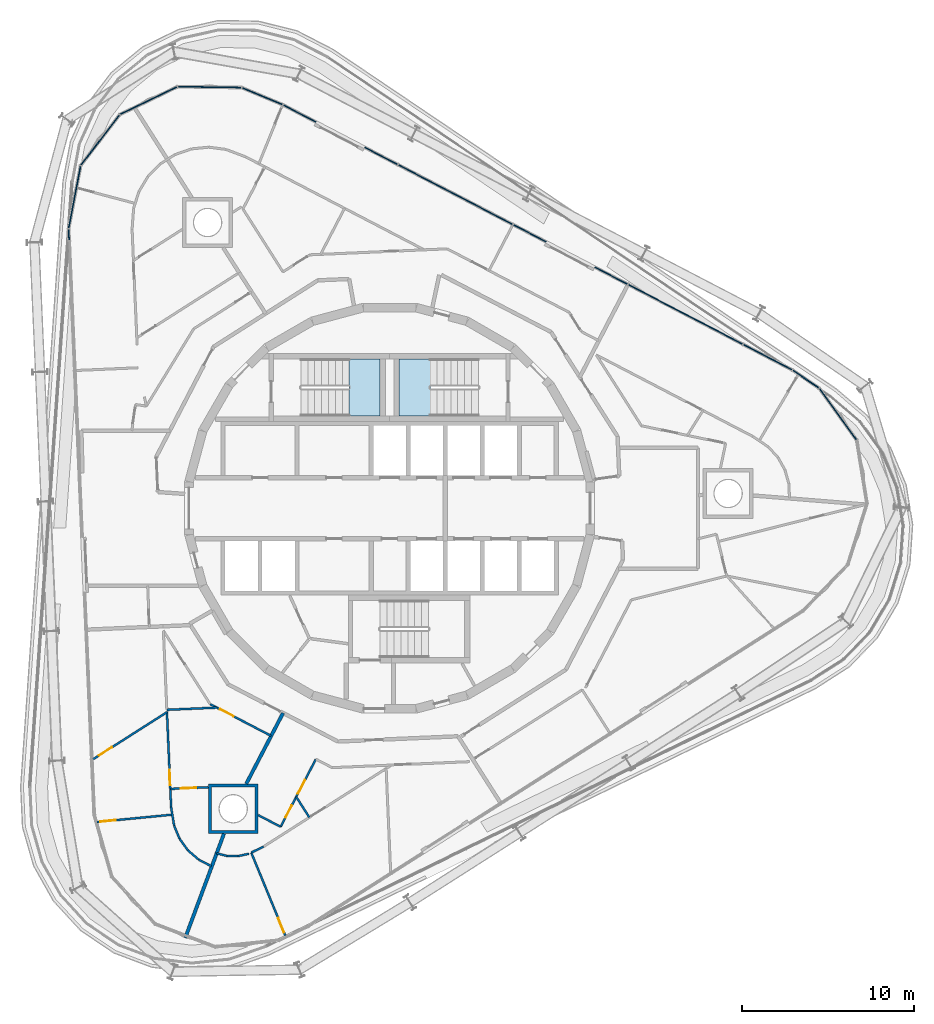
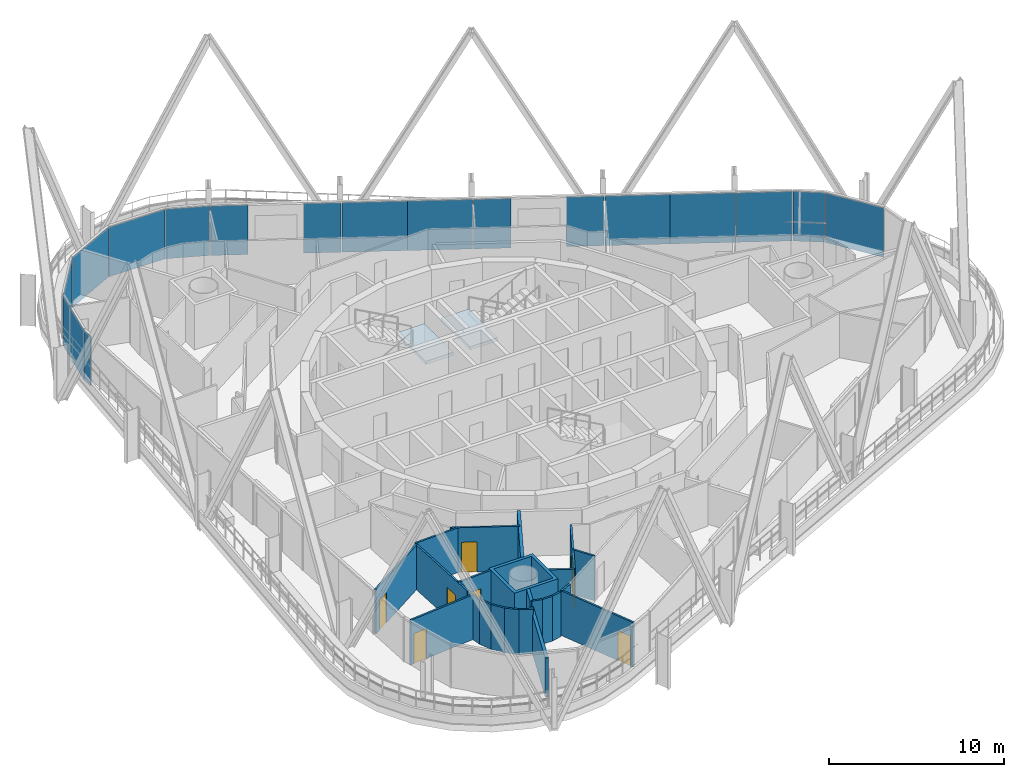
# One storey, part 11 of 20: 23 walls, 17 plates, 8 doors, 2 slabs, 8 openings, 5 elements without a shape of their own.
"""IFC4 building model written with IfcOpenShell, lengths in metres."""

from ifc_helpers import new_model, si_unit, direction, frame, frame_2d, origin, origin_2d, place, context, subcontext, project, spatial, polyline, rectangle, outline, extrude, material, layer, layer_set, type_object, element, fill, aggregate, save


model = new_model("IFC4")

# Units and contexts
model_context = context("Model", 3, precision=1e-05, world=origin(), true_north=direction((0.0, 1.0)))
body_context = subcontext(model_context, "Body", "Model", "MODEL_VIEW")
ifc_project = project(units=[si_unit("LENGTHUNIT", "METRE"), si_unit("AREAUNIT", "SQUARE_METRE"), si_unit("VOLUMEUNIT", "CUBIC_METRE"), si_unit("PLANEANGLEUNIT", "RADIAN"), si_unit("MASSUNIT", "GRAM", prefix="KILO")], contexts=[model_context])

# Site, building, storey
site_placement = place(None, origin())
site = spatial("IfcSite", under=ifc_project, at=site_placement, CompositionType="ELEMENT")
building_placement = place(site_placement, origin())
building = spatial("IfcBuilding", under=site, at=building_placement, Name="Spindle Arch Residences", CompositionType="ELEMENT")
storey_placement = place(building_placement, frame((0.0, 0.0, 226.699951171875)))
storey = spatial("IfcBuildingStorey", under=building, at=storey_placement, Name="L57", CompositionType="ELEMENT", Elevation=226.699951171875)

# Stair, slab
ifc_material_1 = material(Name="Concrete C50/60", Category="concrete")
stair_type = type_object("IfcStairType", Name="Exit stair 16 risers", PredefinedType="HALF_TURN_STAIR", material=ifc_material_1)
stair_1_placement = place(storey_placement, origin())
stair_1 = element("IfcStair", 1, at=stair_1_placement, inside=storey, type_object=stair_type, Name="L57 Exit stair ST1", PredefinedType="HALF_TURN_STAIR")
ifc_material_2 = material(Name="Concrete C50/60", Category="concrete")
ifc_layer_1 = layer(ifc_material_2, 0.219970703125)
ifc_layer_set_1 = layer_set([ifc_layer_1], Name="Exit stair landing 220")
slab_type = type_object("IfcSlabType", Name="Exit stair landing 220", PredefinedType="LANDING", material=ifc_layer_set_1)
slab_1_placement = place(storey_placement, frame((0.0, 0.0, 1.530029296875)))
slab_1 = element("IfcSlab", 2, at=slab_1_placement, type_object=slab_type, Name="ST1 landing 1", PredefinedType="LANDING", context=body_context, shape_type="SweptSolid", body=[
    extrude(outline(polyline([(2.3701171875, 8.669921875), (0.550048828125, 8.669921875), (0.550048828125, 5.35009765625), (2.3701171875, 5.35009765625), (2.3701171875, 8.669921875)])), origin(), (0.0, 0.0, 1.0), 0.219970703125),
])
aggregate(stair_1, [slab_1])

stair_2_placement = place(storey_placement, origin())
stair_2 = element("IfcStair", 3, at=stair_2_placement, inside=storey, type_object=stair_type, Name="L57 Exit stair ST2", PredefinedType="HALF_TURN_STAIR")
slab_2_placement = place(storey_placement, frame((0.0, 0.0, 1.530029296875)))
slab_2 = element("IfcSlab", 4, at=slab_2_placement, type_object=slab_type, Name="ST2 landing 1", PredefinedType="LANDING", context=body_context, shape_type="SweptSolid", body=[
    extrude(outline(polyline([(-2.3701171875, 5.35009765625), (-0.550048828125, 5.35009765625), (-0.550048828125, 8.669921875), (-2.3701171875, 8.669921875), (-2.3701171875, 5.35009765625)])), origin(), (0.0, 0.0, 1.0), 0.219970703125),
])
aggregate(stair_2, [slab_2])

# Curtain wall, plates
ifc_material_3 = material(Name="Aluminium bronze unitised frame with tinted glass", Category="aluminium")
ifc_layer_2 = layer(ifc_material_3, 0.159912109375)
ifc_layer_set_2 = layer_set([ifc_layer_2], Name="CW-D corner wall on the fillet arcs")
curtain_wall_type_1 = type_object("IfcCurtainWallType", Name="CW-D corner wall on the fillet arcs", PredefinedType="NOTDEFINED", material=ifc_layer_set_2)
curtain_wall_1_placement = place(storey_placement, origin())
curtain_wall_1 = element("IfcCurtainWall", 5, at=curtain_wall_1_placement, inside=storey, type_object=curtain_wall_type_1, Name="CW-D L57 run 1", PredefinedType="NOTDEFINED")
ifc_material_4 = material(Name="Tinted double glazing over aluminium faced non-combustible spandrel zone (K0)", Category="aluminium")
ifc_layer_3 = layer(ifc_material_4, 0.06005859375)
ifc_layer_set_3 = layer_set([ifc_layer_3], Name="Unitised glass panel with E 60 spandrel zone")
plate_type = type_object("IfcPlateType", Name="Unitised glass panel with E 60 spandrel zone", PredefinedType="CURTAIN_PANEL", material=ifc_layer_set_3)
plate_1_placement = place(storey_placement, frame((26.024169921875, 5.460693359375, -0.44970703125), z_axis=(0.0, 0.0, 1.0), x_axis=(-0.585429431289, 0.810723368962, 0.0)))
plate_1 = element("IfcPlate", 6, at=plate_1_placement, type_object=plate_type, Name="CW-D unit 04", PredefinedType="CURTAIN_PANEL", context=body_context, shape_type="SweptSolid", body=[
    extrude(rectangle(XDim=3.666748046875, YDim=0.06005859375, at=origin_2d()), origin(), (0.0, 0.0, 1.0), 3.449951171875),
])
plate_2_placement = place(storey_placement, frame((24.156982421875, 7.498291015625, -0.44970703125), z_axis=(0.0, 0.0, 1.0), x_axis=(-0.827407441981, 0.561602105546, 0.0)))
plate_2 = element("IfcPlate", 7, at=plate_2_placement, type_object=plate_type, Name="CW-D unit 05", PredefinedType="CURTAIN_PANEL", context=body_context, shape_type="SweptSolid", body=[
    extrude(rectangle(XDim=1.816162109375, YDim=0.06005859375, at=origin_2d()), origin(), (0.0, 0.0, 1.0), 3.449951171875),
])
plate_3_placement = place(storey_placement, frame((21.948974609375, 8.770263671875, -0.44970703125), z_axis=(0.0, 0.0, 1.0), x_axis=(-0.887010833178, 0.461748613235, 0.0)))
plate_3 = element("IfcPlate", 8, at=plate_3_placement, type_object=plate_type, Name="CW-D unit 06", PredefinedType="CURTAIN_PANEL", context=body_context, shape_type="SweptSolid", body=[
    extrude(rectangle(XDim=3.16845703125, YDim=0.06005859375, at=origin_2d()), origin(), (0.0, 0.0, 1.0), 3.449951171875),
])
aggregate(curtain_wall_1, [plate_1, plate_2, plate_3])

ifc_material_5 = material(Name="Aluminium bronze unitised frame with tinted glass", Category="aluminium")
ifc_layer_4 = layer(ifc_material_5, 0.159912109375)
ifc_layer_set_4 = layer_set([ifc_layer_4], Name="CW-C typical residential unitised wall")
curtain_wall_type_2 = type_object("IfcCurtainWallType", Name="CW-C typical residential unitised wall", PredefinedType="NOTDEFINED", material=ifc_layer_set_4)
curtain_wall_2_placement = place(storey_placement, origin())
curtain_wall_2 = element("IfcCurtainWall", 9, at=curtain_wall_2_placement, inside=storey, type_object=curtain_wall_type_2, Name="CW-C L57 run 2", PredefinedType="NOTDEFINED")
plate_4_placement = place(storey_placement, frame((18.834228515625, 10.391845703125, -0.44970703125), z_axis=(0.0, 0.0, 1.0), x_axis=(-0.887010833178, 0.461748613235, 0.0)))
plate_4 = element("IfcPlate", 10, at=plate_4_placement, type_object=plate_type, Name="CW-C unit 05A", PredefinedType="CURTAIN_PANEL", context=body_context, shape_type="SweptSolid", body=[
    extrude(rectangle(XDim=3.735107421875, YDim=0.06005859375, at=origin_2d()), origin(), (0.0, 0.0, 1.0), 3.449951171875),
])
plate_5_placement = place(storey_placement, frame((15.52099609375, 12.116455078125, -0.44970703125), z_axis=(0.0, 0.0, 1.0), x_axis=(-0.887010833178, 0.461748613235, 0.0)))
plate_5 = element("IfcPlate", 11, at=plate_5_placement, type_object=plate_type, Name="CW-C unit 05B", PredefinedType="CURTAIN_PANEL", context=body_context, shape_type="SweptSolid", body=[
    extrude(rectangle(XDim=3.735107421875, YDim=0.06005859375, at=origin_2d()), origin(), (0.0, 0.0, 1.0), 3.449951171875),
])
plate_6_placement = place(storey_placement, frame((12.864501953125, 13.49951171875, -0.44970703125), z_axis=(0.0, 0.0, 1.0), x_axis=(-0.887010833178, 0.461748613235, 0.0)))
plate_6 = element("IfcPlate", 12, at=plate_6_placement, type_object=plate_type, Name="CW-C unit 06L", PredefinedType="CURTAIN_PANEL", context=body_context, shape_type="SweptSolid", body=[
    extrude(rectangle(XDim=2.135009765625, YDim=0.06005859375, at=origin_2d()), origin(), (0.0, 0.0, 1.0), 3.449951171875),
])
plate_7_placement = place(storey_placement, frame((8.13232421875, 15.962890625, -0.44970703125), z_axis=(0.0, 0.0, 1.0), x_axis=(-0.887010833178, 0.461748613235, 0.0)))
plate_7 = element("IfcPlate", 13, at=plate_7_placement, type_object=plate_type, Name="CW-C unit 06R", PredefinedType="CURTAIN_PANEL", context=body_context, shape_type="SweptSolid", body=[
    extrude(rectangle(XDim=2.135009765625, YDim=0.06005859375, at=origin_2d()), origin(), (0.0, 0.0, 1.0), 3.449951171875),
])
plate_8_placement = place(storey_placement, frame((5.4755859375, 17.345947265625, -0.44970703125), z_axis=(0.0, 0.0, 1.0), x_axis=(-0.887010833178, 0.461748613235, 0.0)))
plate_8 = element("IfcPlate", 14, at=plate_8_placement, type_object=plate_type, Name="CW-C unit 07A", PredefinedType="CURTAIN_PANEL", context=body_context, shape_type="SweptSolid", body=[
    extrude(rectangle(XDim=3.735107421875, YDim=0.06005859375, at=origin_2d()), origin(), (0.0, 0.0, 1.0), 3.449951171875),
])
plate_9_placement = place(storey_placement, frame((2.16259765625, 19.070556640625, -0.44970703125), z_axis=(0.0, 0.0, 1.0), x_axis=(-0.887010833178, 0.461748613235, 0.0)))
plate_9 = element("IfcPlate", 15, at=plate_9_placement, type_object=plate_type, Name="CW-C unit 07B", PredefinedType="CURTAIN_PANEL", context=body_context, shape_type="SweptSolid", body=[
    extrude(rectangle(XDim=3.735107421875, YDim=0.06005859375, at=origin_2d()), origin(), (0.0, 0.0, 1.0), 3.449951171875),
])
plate_10_placement = place(storey_placement, frame((-0.494140625, 20.45361328125, -0.44970703125), z_axis=(0.0, 0.0, 1.0), x_axis=(-0.887010833178, 0.461748613235, 0.0)))
plate_10 = element("IfcPlate", 16, at=plate_10_placement, type_object=plate_type, Name="CW-C unit 08L", PredefinedType="CURTAIN_PANEL", context=body_context, shape_type="SweptSolid", body=[
    extrude(rectangle(XDim=2.135009765625, YDim=0.06005859375, at=origin_2d()), origin(), (0.0, 0.0, 1.0), 3.449951171875),
])
plate_11_placement = place(storey_placement, frame((-5.226318359375, 22.9169921875, -0.44970703125), z_axis=(0.0, 0.0, 1.0), x_axis=(-0.887010833178, 0.461748613235, 0.0)))
plate_11 = element("IfcPlate", 17, at=plate_11_placement, type_object=plate_type, Name="CW-C unit 08R", PredefinedType="CURTAIN_PANEL", context=body_context, shape_type="SweptSolid", body=[
    extrude(rectangle(XDim=2.135009765625, YDim=0.06005859375, at=origin_2d()), origin(), (0.0, 0.0, 1.0), 3.449951171875),
])
aggregate(curtain_wall_2, [plate_4, plate_5, plate_6, plate_7, plate_8, plate_9, plate_10, plate_11])

curtain_wall_3_placement = place(storey_placement, origin())
curtain_wall_3 = element("IfcCurtainWall", 18, at=curtain_wall_3_placement, inside=storey, type_object=curtain_wall_type_1, Name="CW-D L57 run 3", PredefinedType="NOTDEFINED")
plate_12_placement = place(storey_placement, frame((-7.39501953125, 23.923095703125, -0.44970703125), z_axis=(0.0, 0.0, 1.0), x_axis=(-0.92268610302, 0.385552013734, 0.0)))
plate_12 = element("IfcPlate", 19, at=plate_12_placement, type_object=plate_type, Name="CW-D unit 00", PredefinedType="CURTAIN_PANEL", context=body_context, shape_type="SweptSolid", body=[
    extrude(rectangle(XDim=2.531005859375, YDim=0.06005859375, at=origin_2d()), origin(), (0.0, 0.0, 1.0), 3.449951171875),
])
plate_13_placement = place(storey_placement, frame((-10.45361328125, 24.44970703125, -0.44970703125), z_axis=(0.0, 0.0, 1.0), x_axis=(-0.999894231949, 0.014543896145, 0.0)))
plate_13 = element("IfcPlate", 20, at=plate_13_placement, type_object=plate_type, Name="CW-D unit 01", PredefinedType="CURTAIN_PANEL", context=body_context, shape_type="SweptSolid", body=[
    extrude(rectangle(XDim=3.666748046875, YDim=0.06005859375, at=origin_2d()), origin(), (0.0, 0.0, 1.0), 3.449951171875),
])
plate_14_placement = place(storey_placement, frame((-13.993896484375, 23.664794921875, -0.44970703125), z_axis=(0.0, 0.0, 1.0), x_axis=(-0.900065409075, -0.435754815677, 0.0)))
plate_14 = element("IfcPlate", 21, at=plate_14_placement, type_object=plate_type, Name="CW-D unit 02", PredefinedType="CURTAIN_PANEL", context=body_context, shape_type="SweptSolid", body=[
    extrude(rectangle(XDim=3.666748046875, YDim=0.06005859375, at=origin_2d()), origin(), (0.0, 0.0, 1.0), 3.449951171875),
])
plate_15_placement = place(storey_placement, frame((-16.805419921875, 21.37451171875, -0.44970703125), z_axis=(0.0, 0.0, 1.0), x_axis=(-0.60876142329, -0.793353344679, 0.0)))
plate_15 = element("IfcPlate", 22, at=plate_15_placement, type_object=plate_type, Name="CW-D unit 03", PredefinedType="CURTAIN_PANEL", context=body_context, shape_type="SweptSolid", body=[
    extrude(rectangle(XDim=3.666748046875, YDim=0.06005859375, at=origin_2d()), origin(), (0.0, 0.0, 1.0), 3.449951171875),
])
plate_16_placement = place(storey_placement, frame((-18.2900390625, 18.066162109375, -0.44970703125), z_axis=(0.0, 0.0, 1.0), x_axis=(-0.187952756314, -0.982178070104, 0.0)))
plate_16 = element("IfcPlate", 23, at=plate_16_placement, type_object=plate_type, Name="CW-D unit 04", PredefinedType="CURTAIN_PANEL", context=body_context, shape_type="SweptSolid", body=[
    extrude(rectangle(XDim=3.666748046875, YDim=0.06005859375, at=origin_2d()), origin(), (0.0, 0.0, 1.0), 3.449951171875),
])
plate_17_placement = place(storey_placement, frame((-18.62451171875, 15.877197265625, -0.44970703125), z_axis=(0.0, 0.0, 1.0), x_axis=(0.043619387365, -0.999048221582, 0.0)))
plate_17 = element("IfcPlate", 24, at=plate_17_placement, type_object=plate_type, Name="CW-D unit 05", PredefinedType="CURTAIN_PANEL", context=body_context, shape_type="SweptSolid", body=[
    extrude(rectangle(XDim=0.658447265625, YDim=0.06005859375, at=origin_2d()), origin(), (0.0, 0.0, 1.0), 3.449951171875),
])
aggregate(curtain_wall_3, [plate_12, plate_13, plate_14, plate_15, plate_16, plate_17])

# Wall, opening, door
ifc_material_6 = material(Name="Plasterboard on steel studs", Category="steel")
ifc_layer_5 = layer(ifc_material_6, 0.1201171875)
ifc_layer_set_5 = layer_set([ifc_layer_5], Name="Flat partition 120")
wall_type_1 = type_object("IfcWallType", Name="Flat partition 120", PredefinedType="PARTITIONING", material=ifc_layer_set_5)
wall_1_placement = place(storey_placement, frame((-10.42138671875, -11.373046875, 0.0), z_axis=(0.0, 0.0, 1.0), x_axis=(0.887006451745, -0.461757029792, 0.0)))
wall_1 = element("IfcWall", 25, at=wall_1_placement, inside=storey, type_object=wall_type_1, Name="Flat partition R6A0-W085", PredefinedType="PARTITIONING", context=body_context, shape_type="SweptSolid", body=[
    extrude(rectangle(XDim=3.992431640625, YDim=0.1201171875, at=frame_2d((1.99609375, 0.0))), origin(), (0.0, 0.0, 1.0), 3.1201171875),
])
opening_1_placement = place(wall_1_placement, frame((0.639404296875, 0.0, 0.0)))
opening_1 = element("IfcOpeningElement", 26, at=opening_1_placement, cuts=wall_1, Name="Opening R6A0-ID14", PredefinedType="OPENING", context=body_context, shape_type="SweptSolid", body=[
    extrude(rectangle(XDim=0.89990234375, YDim=2.10009765625, at=frame_2d((0.449951171875, 1.050048828125))), frame((0.0, 0.070068359375, 0.0), z_axis=(0.0, -1.0, 0.0), x_axis=(1.0, 0.0, 0.0)), (0.0, 0.0, 1.0), 0.14013671875),
])
ifc_material_7 = material(Name="Timber door set", Category="wood")
door_type_1 = type_object("IfcDoorType", Name="Room door 900x2100", OperationType="NOTDEFINED", PredefinedType="DOOR", material=ifc_material_7)
door_1_placement = place(opening_1_placement, origin())
door_1 = element("IfcDoor", 27, at=door_1_placement, inside=storey, type_object=door_type_1, Name="Room door R6A0-ID14", OperationType="SINGLE_SWING_RIGHT", OverallHeight=2.10009765625, OverallWidth=0.89990234375, PredefinedType="DOOR", context=body_context, shape_type="SweptSolid", body=[
    extrude(rectangle(XDim=0.89990234375, YDim=2.10009765625, at=frame_2d((0.449951171875, 1.050048828125))), frame((0.0, 0.02490234375, 0.0), z_axis=(0.0, -1.0, 0.0), x_axis=(1.0, 0.0, 0.0)), (0.0, 0.0, 1.0), 0.050048828125),
])
fill(opening_1, door_1)

wall_2_placement = place(storey_placement, frame((-17.215087890625, -14.56982421875, 0.0), z_axis=(0.0, 0.0, 1.0), x_axis=(0.843396239681, 0.537292083407, 0.0)))
wall_2 = element("IfcWall", 28, at=wall_2_placement, inside=storey, type_object=wall_type_1, Name="Flat partition R6A0-W087", PredefinedType="PARTITIONING", context=body_context, shape_type="SweptSolid", body=[
    extrude(rectangle(XDim=5.08056640625, YDim=0.1201171875, at=frame_2d((2.540283203125, 0.0))), origin(), (0.0, 0.0, 1.0), 3.1201171875),
])
opening_2_placement = place(wall_2_placement, frame((0.39990234375, 0.0, 0.0)))
opening_2 = element("IfcOpeningElement", 29, at=opening_2_placement, cuts=wall_2, Name="Opening R6A0-ID17", PredefinedType="OPENING", context=body_context, shape_type="SweptSolid", body=[
    extrude(rectangle(XDim=0.89990234375, YDim=2.10009765625, at=frame_2d((0.449951171875, 1.050048828125))), frame((0.0, 0.070068359375, 0.0), z_axis=(0.0, -1.0, 0.0), x_axis=(1.0, 0.0, 0.0)), (0.0, 0.0, 1.0), 0.14013671875),
])
door_2_placement = place(opening_2_placement, origin())
door_2 = element("IfcDoor", 30, at=door_2_placement, inside=storey, type_object=door_type_1, Name="Room door R6A0-ID17", OperationType="SINGLE_SWING_LEFT", OverallHeight=2.10009765625, OverallWidth=0.89990234375, PredefinedType="DOOR", context=body_context, shape_type="SweptSolid", body=[
    extrude(rectangle(XDim=0.89990234375, YDim=2.10009765625, at=frame_2d((0.449951171875, 1.050048828125))), frame((0.0, 0.02490234375, 0.0), z_axis=(0.0, -1.0, 0.0), x_axis=(1.0, 0.0, 0.0)), (0.0, 0.0, 1.0), 0.050048828125),
])
fill(opening_2, door_2)

# Wall
wall_3_placement = place(storey_placement, frame((-12.936279296875, -11.70263671875, 0.0), z_axis=(0.0, 0.0, 1.0), x_axis=(0.999046310188, 0.043663143495, 0.0)))
element("IfcWall", 31, at=wall_3_placement, inside=storey, type_object=wall_type_1, Name="Flat partition R6A0-W088", PredefinedType="PARTITIONING", context=body_context, shape_type="SweptSolid", body=[
    extrude(rectangle(XDim=2.907470703125, YDim=0.1201171875, at=frame_2d((1.45361328125, 0.0))), origin(), (0.0, 0.0, 1.0), 3.1201171875),
])

# Wall, opening, door
wall_4_placement = place(storey_placement, frame((-12.689697265625, -17.347412109375, 0.0), z_axis=(0.0, 0.0, 1.0), x_axis=(-0.043618497177, 0.999048260448, 0.0)))
wall_4 = element("IfcWall", 32, at=wall_4_placement, inside=storey, type_object=wall_type_1, Name="Flat partition R6A0-W089", PredefinedType="PARTITIONING", context=body_context, shape_type="SweptSolid", body=[
    extrude(rectangle(XDim=5.552490234375, YDim=0.1201171875, at=frame_2d((2.7763671875, 0.0))), origin(), (0.0, 0.0, 1.0), 3.1201171875),
])
opening_3_placement = place(wall_4_placement, frame((1.25390625, 0.0, 0.0)))
opening_3 = element("IfcOpeningElement", 33, at=opening_3_placement, cuts=wall_4, Name="Opening R6A0-ID15", PredefinedType="OPENING", context=body_context, shape_type="SweptSolid", body=[
    extrude(rectangle(XDim=0.89990234375, YDim=2.10009765625, at=frame_2d((0.449951171875, 1.050048828125))), frame((0.0, 0.070068359375, 0.0), z_axis=(0.0, -1.0, 0.0), x_axis=(1.0, 0.0, 0.0)), (0.0, 0.0, 1.0), 0.14013671875),
])
door_3_placement = place(opening_3_placement, origin())
door_3 = element("IfcDoor", 34, at=door_3_placement, inside=storey, type_object=door_type_1, Name="Room door R6A0-ID15", OperationType="SINGLE_SWING_RIGHT", OverallHeight=2.10009765625, OverallWidth=0.89990234375, PredefinedType="DOOR", context=body_context, shape_type="SweptSolid", body=[
    extrude(rectangle(XDim=0.89990234375, YDim=2.10009765625, at=frame_2d((0.449951171875, 1.050048828125))), frame((0.0, 0.02490234375, 0.0), z_axis=(0.0, -1.0, 0.0), x_axis=(1.0, 0.0, 0.0)), (0.0, 0.0, 1.0), 0.050048828125),
])
fill(opening_3, door_3)

wall_5_placement = place(storey_placement, frame((-17.006591796875, -18.215576171875, 0.0), z_axis=(0.0, 0.0, 1.0), x_axis=(0.995320337688, 0.09663035436, 0.0)))
wall_5 = element("IfcWall", 35, at=wall_5_placement, inside=storey, type_object=wall_type_1, Name="Flat partition R6A0-W090", PredefinedType="PARTITIONING", context=body_context, shape_type="SweptSolid", body=[
    extrude(rectangle(XDim=4.408935546875, YDim=0.1201171875, at=frame_2d((2.20458984375, 0.0))), origin(), (0.0, 0.0, 1.0), 3.1201171875),
])
opening_4_placement = place(wall_5_placement, frame((0.199951171875, 0.0, 0.0)))
opening_4 = element("IfcOpeningElement", 36, at=opening_4_placement, cuts=wall_5, Name="Opening R6A0-ID18", PredefinedType="OPENING", context=body_context, shape_type="SweptSolid", body=[
    extrude(rectangle(XDim=0.89990234375, YDim=2.10009765625, at=frame_2d((0.449951171875, 1.050048828125))), frame((0.0, 0.070068359375, 0.0), z_axis=(0.0, -1.0, 0.0), x_axis=(1.0, 0.0, 0.0)), (0.0, 0.0, 1.0), 0.14013671875),
])
door_4_placement = place(opening_4_placement, origin())
door_4 = element("IfcDoor", 37, at=door_4_placement, inside=storey, type_object=door_type_1, Name="Room door R6A0-ID18", OperationType="SINGLE_SWING_RIGHT", OverallHeight=2.10009765625, OverallWidth=0.89990234375, PredefinedType="DOOR", context=body_context, shape_type="SweptSolid", body=[
    extrude(rectangle(XDim=0.89990234375, YDim=2.10009765625, at=frame_2d((0.449951171875, 1.050048828125))), frame((0.0, 0.02490234375, 0.0), z_axis=(0.0, -1.0, 0.0), x_axis=(1.0, 0.0, 0.0)), (0.0, 0.0, 1.0), 0.050048828125),
])
fill(opening_4, door_4)

# Wall
wall_6_placement = place(storey_placement, frame((-12.5166015625, -18.42041015625, 0.0), z_axis=(0.0, 0.0, 1.0), x_axis=(-0.159260688022, 0.987236563976, 0.0)))
element("IfcWall", 38, at=wall_6_placement, inside=storey, type_object=wall_type_1, Name="Flat partition R6A0-W091", PredefinedType="PARTITIONING", context=body_context, shape_type="SweptSolid", body=[
    extrude(rectangle(XDim=1.0869140625, YDim=0.1201171875, at=frame_2d((0.54345703125, 0.0))), origin(), (0.0, 0.0, 1.0), 3.1201171875),
])

# Wall, opening, door
wall_7_placement = place(storey_placement, frame((-12.735595703125, -16.294677734375, 0.0), z_axis=(0.0, 0.0, 1.0), x_axis=(0.999043796611, 0.043720618177, 0.0)))
wall_7 = element("IfcWall", 39, at=wall_7_placement, inside=storey, type_object=wall_type_1, Name="Flat partition R6A0-W092", PredefinedType="PARTITIONING", context=body_context, shape_type="SweptSolid", body=[
    extrude(rectangle(XDim=2.205810546875, YDim=0.1201171875, at=frame_2d((1.10302734375, 0.0))), origin(), (0.0, 0.0, 1.0), 3.1201171875),
])
opening_5_placement = place(wall_7_placement, frame((0.60009765625, 0.0, 0.0)))
opening_5 = element("IfcOpeningElement", 40, at=opening_5_placement, cuts=wall_7, Name="Opening R6A0-ID16", PredefinedType="OPENING", context=body_context, shape_type="SweptSolid", body=[
    extrude(rectangle(XDim=0.89990234375, YDim=2.10009765625, at=frame_2d((0.449951171875, 1.050048828125))), frame((0.0, 0.070068359375, 0.0), z_axis=(0.0, -1.0, 0.0), x_axis=(1.0, 0.0, 0.0)), (0.0, 0.0, 1.0), 0.14013671875),
])
door_5_placement = place(opening_5_placement, origin())
door_5 = element("IfcDoor", 41, at=door_5_placement, inside=storey, type_object=door_type_1, Name="Room door R6A0-ID16", OperationType="SINGLE_SWING_RIGHT", OverallHeight=2.10009765625, OverallWidth=0.89990234375, PredefinedType="DOOR", context=body_context, shape_type="SweptSolid", body=[
    extrude(rectangle(XDim=0.89990234375, YDim=2.10009765625, at=frame_2d((0.449951171875, 1.050048828125))), frame((0.0, 0.02490234375, 0.0), z_axis=(0.0, -1.0, 0.0), x_axis=(1.0, 0.0, 0.0)), (0.0, 0.0, 1.0), 0.050048828125),
])
fill(opening_5, door_5)

# Walls
for number, where, z_axis, x_axis, name in (
    (42, (-10.351806640625, -20.782958984375, 0.0), (0.0, 0.0, 1.0), (-0.886941739106, 0.461881317475, 0.0), "Flat partition R6A0-W093"),
    (43, (-11.0869140625, -20.400146484375, 0.0), (0.0, 0.0, 1.0), (-0.756776639981, 0.653673555515, 0.0), "Flat partition R6A0-W094"),
):
    element("IfcWall", number, at=place(storey_placement, frame(where, z_axis=z_axis, x_axis=x_axis)), inside=storey, type_object=wall_type_1, Name=name, PredefinedType="PARTITIONING", context=body_context, shape_type="SweptSolid", body=[
        extrude(rectangle(XDim=0.828857421875, YDim=0.1201171875, at=frame_2d((0.41455078125, 0.0))), origin(), (0.0, 0.0, 1.0), 3.1201171875),
    ])
wall_8_placement = place(storey_placement, frame((-11.714111328125, -19.8583984375, 0.0), z_axis=(0.0, 0.0, 1.0), x_axis=(-0.585436792562, 0.810718053281, 0.0)))
element("IfcWall", 44, at=wall_8_placement, inside=storey, type_object=wall_type_1, Name="Flat partition R6A0-W095", PredefinedType="PARTITIONING", context=body_context, shape_type="SweptSolid", body=[
    extrude(rectangle(XDim=0.8291015625, YDim=0.1201171875, at=frame_2d((0.41455078125, 0.0))), origin(), (0.0, 0.0, 1.0), 3.1201171875),
])
wall_9_placement = place(storey_placement, frame((-12.199462890625, -19.186279296875, 0.0), z_axis=(0.0, 0.0, 1.0), x_axis=(-0.382585904135, 0.923919923996, 0.0)))
element("IfcWall", 45, at=wall_9_placement, inside=storey, type_object=wall_type_1, Name="Flat partition R6A0-W096", PredefinedType="PARTITIONING", context=body_context, shape_type="SweptSolid", body=[
    extrude(rectangle(XDim=0.828857421875, YDim=0.1201171875, at=frame_2d((0.41455078125, 0.0))), origin(), (0.0, 0.0, 1.0), 3.1201171875),
])
wall_10_placement = place(storey_placement, frame((-7.632080078125, -17.815185546875, 0.0), z_axis=(0.0, 0.0, 1.0), x_axis=(0.886960889958, -0.461844540602, 0.0)))
element("IfcWall", 46, at=wall_10_placement, inside=storey, type_object=wall_type_1, Name="Flat partition R6A0-W097", PredefinedType="PARTITIONING", context=body_context, shape_type="SweptSolid", body=[
    extrude(rectangle(XDim=1.468994140625, YDim=0.1201171875, at=frame_2d((0.734375, 0.0))), origin(), (0.0, 0.0, 1.0), 3.1201171875),
])

# Wall, openings, doors
wall_11_placement = place(storey_placement, frame((-6.3291015625, -18.49365234375, 0.0), z_axis=(0.0, 0.0, 1.0), x_axis=(0.461759058182, 0.887005395805, 0.0)))
wall_11 = element("IfcWall", 47, at=wall_11_placement, inside=storey, type_object=wall_type_1, Name="Flat partition R6A0-W098", PredefinedType="PARTITIONING", context=body_context, shape_type="SweptSolid", body=[
    extrude(rectangle(XDim=4.426513671875, YDim=0.1201171875, at=frame_2d((2.21337890625, 0.0))), origin(), (0.0, 0.0, 1.0), 3.1201171875),
])
opening_6_placement = place(wall_11_placement, frame((0.60009765625, 0.0, 0.0)))
opening_6 = element("IfcOpeningElement", 48, at=opening_6_placement, cuts=wall_11, Name="Opening R6A0-BD06", PredefinedType="OPENING", context=body_context, shape_type="SweptSolid", body=[
    extrude(rectangle(XDim=0.800048828125, YDim=2.10009765625, at=frame_2d((0.39990234375, 1.050048828125))), frame((0.0, 0.070068359375, 0.0), z_axis=(0.0, -1.0, 0.0), x_axis=(1.0, 0.0, 0.0)), (0.0, 0.0, 1.0), 0.14013671875),
])
opening_7_placement = place(wall_11_placement, frame((2.160888671875, 0.0, 0.0)))
opening_7 = element("IfcOpeningElement", 49, at=opening_7_placement, cuts=wall_11, Name="Opening R6A0-ID19", PredefinedType="OPENING", context=body_context, shape_type="SweptSolid", body=[
    extrude(rectangle(XDim=0.89990234375, YDim=2.10009765625, at=frame_2d((0.449951171875, 1.050048828125))), frame((0.0, 0.070068359375, 0.0), z_axis=(0.0, -1.0, 0.0), x_axis=(1.0, 0.0, 0.0)), (0.0, 0.0, 1.0), 0.14013671875),
])
ifc_material_8 = material(Name="Timber door set", Category="wood")
door_type_2 = type_object("IfcDoorType", Name="Bathroom door 800x2100", OperationType="NOTDEFINED", PredefinedType="DOOR", material=ifc_material_8)
door_6_placement = place(opening_6_placement, origin())
door_6 = element("IfcDoor", 50, at=door_6_placement, inside=storey, type_object=door_type_2, Name="Bathroom door R6A0-BD06", OperationType="SINGLE_SWING_LEFT", OverallHeight=2.10009765625, OverallWidth=0.800048828125, PredefinedType="DOOR", context=body_context, shape_type="SweptSolid", body=[
    extrude(rectangle(XDim=0.800048828125, YDim=2.10009765625, at=frame_2d((0.39990234375, 1.050048828125))), frame((0.0, 0.02490234375, 0.0), z_axis=(0.0, -1.0, 0.0), x_axis=(1.0, 0.0, 0.0)), (0.0, 0.0, 1.0), 0.050048828125),
])
fill(opening_6, door_6)
door_7_placement = place(opening_7_placement, origin())
door_7 = element("IfcDoor", 51, at=door_7_placement, inside=storey, type_object=door_type_1, Name="Room door R6A0-ID19", OperationType="SINGLE_SWING_LEFT", OverallHeight=2.10009765625, OverallWidth=0.89990234375, PredefinedType="DOOR", context=body_context, shape_type="SweptSolid", body=[
    extrude(rectangle(XDim=0.89990234375, YDim=2.10009765625, at=frame_2d((0.449951171875, 1.050048828125))), frame((0.0, 0.02490234375, 0.0), z_axis=(0.0, -1.0, 0.0), x_axis=(1.0, 0.0, 0.0)), (0.0, 0.0, 1.0), 0.050048828125),
])
fill(opening_7, door_7)

# Walls
wall_12_placement = place(storey_placement, frame((-10.0439453125, -20.03564453125, 0.0), z_axis=(0.0, 0.0, 1.0), x_axis=(0.969630684539, -0.24457378355, 0.0)))
element("IfcWall", 52, at=wall_12_placement, inside=storey, type_object=wall_type_1, Name="Flat partition R6A0-W101", PredefinedType="PARTITIONING", context=body_context, shape_type="SweptSolid", body=[
    extrude(rectangle(XDim=0.619873046875, YDim=0.1201171875, at=frame_2d((0.31005859375, 0.0))), origin(), (0.0, 0.0, 1.0), 3.1201171875),
])
for number, where, z_axis, x_axis, name in (
    (53, (-9.44287109375, -20.187255859375, 0.0), (0.0, 0.0, 1.0), (0.999895554921, -0.014452655415, 0.0), "Flat partition R6A0-W102"),
    (54, (-8.801025390625, -20.196533203125, 0.0), (0.0, 0.0, 1.0), (0.976303255585, 0.216406915632, 0.0), "Flat partition R6A0-W103"),
):
    element("IfcWall", number, at=place(storey_placement, frame(where, z_axis=z_axis, x_axis=x_axis)), inside=storey, type_object=wall_type_1, Name=name, PredefinedType="PARTITIONING", context=body_context, shape_type="SweptSolid", body=[
        extrude(rectangle(XDim=0.641845703125, YDim=0.1201171875, at=frame_2d((0.32080078125, 0.0))), origin(), (0.0, 0.0, 1.0), 3.1201171875),
    ])
wall_13_placement = place(storey_placement, frame((-4.661865234375, -17.9501953125, 0.0), z_axis=(0.0, 0.0, 1.0), x_axis=(-0.537254271207, 0.843420327043, 0.0)))
element("IfcWall", 55, at=wall_13_placement, inside=storey, type_object=wall_type_1, Name="Flat partition R6A0-W104", PredefinedType="PARTITIONING", context=body_context, shape_type="SweptSolid", body=[
    extrude(rectangle(XDim=1.417724609375, YDim=0.1201171875, at=frame_2d((0.708984375, 0.0))), origin(), (0.0, 0.0, 1.0), 3.1201171875),
])
wall_14_placement = place(storey_placement, frame((-8.03662109375, -19.990966796875, 0.0), z_axis=(0.0, 0.0, 1.0), x_axis=(0.900073671326, 0.435737749323, 0.0)))
element("IfcWall", 56, at=wall_14_placement, inside=storey, type_object=wall_type_1, Name="Flat partition R6A0-W105", PredefinedType="PARTITIONING", context=body_context, shape_type="SweptSolid", body=[
    extrude(rectangle(XDim=0.7939453125, YDim=0.1201171875, at=frame_2d((0.39697265625, 0.0))), origin(), (0.0, 0.0, 1.0), 3.1201171875),
])

# Wall, opening, door
wall_15_placement = place(storey_placement, frame((-6.056640625, -24.809814453125, 0.0), z_axis=(0.0, 0.0, 1.0), x_axis=(-0.380052033163, 0.924965108579, 0.0)))
wall_15 = element("IfcWall", 57, at=wall_15_placement, inside=storey, type_object=wall_type_1, Name="Flat partition R6A0-W107", PredefinedType="PARTITIONING", context=body_context, shape_type="SweptSolid", body=[
    extrude(rectangle(XDim=5.209716796875, YDim=0.1201171875, at=frame_2d((2.60498046875, 0.0))), origin(), (0.0, 0.0, 1.0), 3.1201171875),
])
opening_8_placement = place(wall_15_placement, frame((0.199951171875, 0.0, 0.0)))
opening_8 = element("IfcOpeningElement", 58, at=opening_8_placement, cuts=wall_15, Name="Opening R6A0-ID22", PredefinedType="OPENING", context=body_context, shape_type="SweptSolid", body=[
    extrude(rectangle(XDim=0.89990234375, YDim=2.10009765625, at=frame_2d((0.449951171875, 1.050048828125))), frame((0.0, 0.070068359375, 0.0), z_axis=(0.0, -1.0, 0.0), x_axis=(1.0, 0.0, 0.0)), (0.0, 0.0, 1.0), 0.14013671875),
])
door_8_placement = place(opening_8_placement, origin())
door_8 = element("IfcDoor", 59, at=door_8_placement, inside=storey, type_object=door_type_1, Name="Room door R6A0-ID22", OperationType="SINGLE_SWING_LEFT", OverallHeight=2.10009765625, OverallWidth=0.89990234375, PredefinedType="DOOR", context=body_context, shape_type="SweptSolid", body=[
    extrude(rectangle(XDim=0.89990234375, YDim=2.10009765625, at=frame_2d((0.449951171875, 1.050048828125))), frame((0.0, 0.02490234375, 0.0), z_axis=(0.0, -1.0, 0.0), x_axis=(1.0, 0.0, 0.0)), (0.0, 0.0, 1.0), 0.050048828125),
])
fill(opening_8, door_8)

# Walls
ifc_material_9 = material(Name="Calcium silicate block, plastered")
ifc_layer_6 = layer(ifc_material_9, 0.199951171875)
ifc_layer_set_6 = layer_set([ifc_layer_6], Name="Flat party wall 200")
wall_type_2 = type_object("IfcWallType", Name="Flat party wall 200", PredefinedType="STANDARD", material=ifc_layer_set_6)
wall_16_placement = place(storey_placement, frame((-8.325927734375, -15.996337890625, 0.0), z_axis=(0.0, 0.0, 1.0), x_axis=(0.461739255077, 0.887015704664, 0.0)))
element("IfcWall", 60, at=wall_16_placement, inside=storey, type_object=wall_type_2, Name="Flat party wall R6A0-W037", PredefinedType="STANDARD", context=body_context, shape_type="SweptSolid", body=[
    extrude(rectangle(XDim=4.63330078125, YDim=0.199951171875, at=frame_2d((2.316650390625, 0.0))), origin(), (0.0, 0.0, 1.0), 3.1201171875),
])
wall_17_placement = place(storey_placement, frame((-10.0439453125, -20.03564453125, 0.0), z_axis=(0.0, 0.0, 1.0), x_axis=(0.348282344491, 0.937389678051, 0.0)))
element("IfcWall", 61, at=wall_17_placement, inside=storey, type_object=wall_type_2, Name="Flat party wall R6A0-W039", PredefinedType="STANDARD", context=body_context, shape_type="SweptSolid", body=[
    extrude(rectangle(XDim=1.215576171875, YDim=0.199951171875, at=frame_2d((0.60791015625, 0.0))), origin(), (0.0, 0.0, 1.0), 3.1201171875),
])
ifc_material_10 = material(Name="Calcium silicate block, plastered")
ifc_layer_7 = layer(ifc_material_10, 0.199951171875)
ifc_layer_set_7 = layer_set([ifc_layer_7], Name="Flat party wall 200 under beam 2730")
wall_type_3 = type_object("IfcWallType", Name="Flat party wall 200 under beam 2730", PredefinedType="STANDARD", material=ifc_layer_set_7)
wall_18_placement = place(storey_placement, frame((-11.865478515625, -24.93896484375, 0.0), z_axis=(0.0, 0.0, 1.0), x_axis=(0.348236919929, 0.937406554062, 0.0)))
element("IfcWall", 62, at=wall_18_placement, inside=storey, type_object=wall_type_3, Name="Flat party wall R6A0-W038", PredefinedType="STANDARD", context=body_context, shape_type="SweptSolid", body=[
    extrude(rectangle(XDim=5.230712890625, YDim=0.199951171875, at=frame_2d((2.615234375, 0.0))), origin(), (0.0, 0.0, 1.0), 2.72998046875),
])
ifc_material_11 = material(Name="Calcium silicate block, plastered")
ifc_layer_8 = layer(ifc_material_11, 0.199951171875)
ifc_layer_set_8 = layer_set([ifc_layer_8], Name="Mega-column casing wall 200")
wall_type_4 = type_object("IfcWallType", Name="Mega-column casing wall 200", PredefinedType="STANDARD", material=ifc_layer_set_8)
wall_19_placement = place(storey_placement, origin())
element("IfcWall", 63, at=wall_19_placement, inside=storey, type_object=wall_type_4, Name="Mega-column casing wall R6A0-WC03", PredefinedType="STANDARD", context=body_context, shape_type="SweptSolid", body=[
    extrude(outline(polyline([(-7.632080078125, -15.996337890625), (-7.632080078125, -18.896240234375), (-10.531982421875, -18.896240234375), (-10.531982421875, -15.996337890625), (-7.632080078125, -15.996337890625)]), holes=[polyline([(-10.33203125, -18.6962890625), (-7.83203125, -18.6962890625), (-7.83203125, -16.1962890625), (-10.33203125, -16.1962890625), (-10.33203125, -18.6962890625)])]), origin(), (0.0, 0.0, 1.0), 3.1201171875),
])

save(model, "model.ifc")
